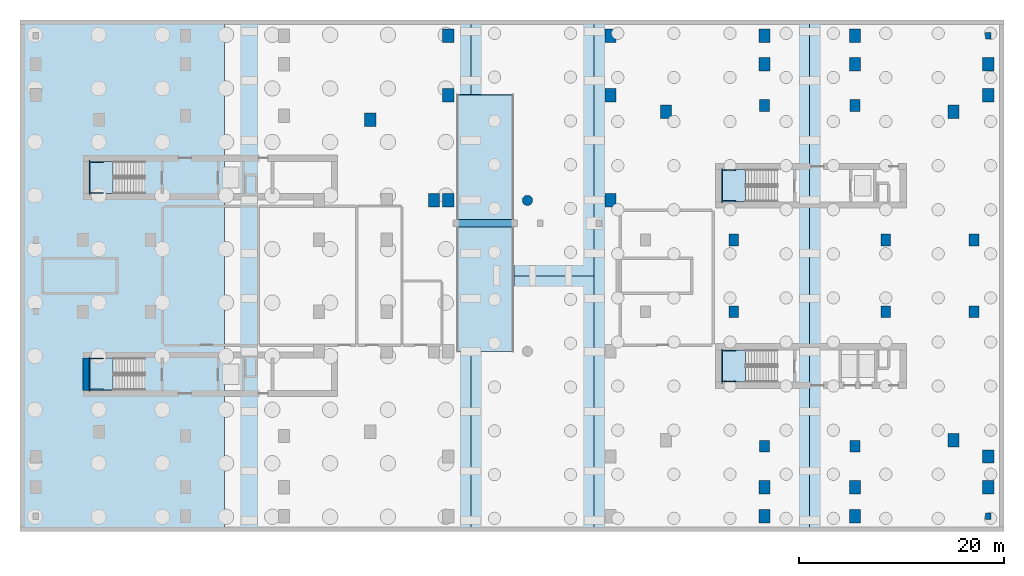
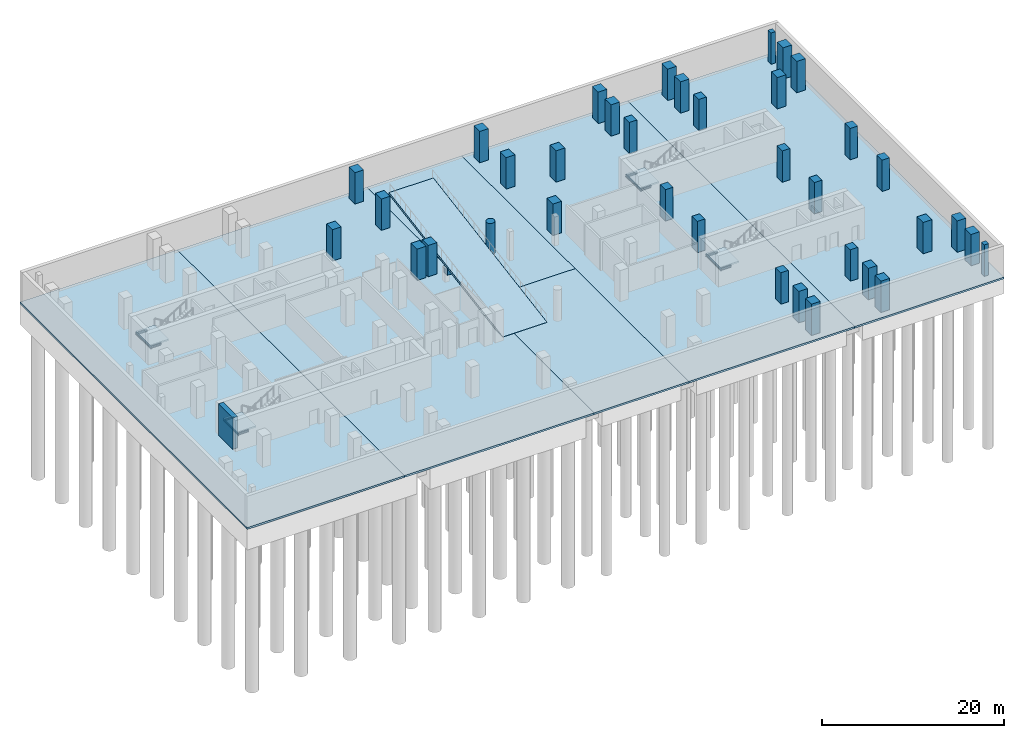
# One storey, part 3 of 14: 36 columns, 13 beams, 11 slabs, 1 wall, 4 elements without a shape of their own.
"""IFC4 building model written with IfcOpenShell, lengths in metres."""

from ifc_helpers import new_model, si_unit, derived_unit, direction, frame, frame_2d, origin, origin_2d, place, context, subcontext, project, spatial, polyline, rectangle, circle, i_section, outline, extrude, material, layer, layer_set, material_profile, profile_set, type_object, element, aggregate, save


model = new_model("IFC4")

# Units and contexts
model_context = context("Model", 3, precision=1e-05, world=origin(), true_north=direction((0.0, 1.0)))
body_context = subcontext(model_context, "Body", "Model", "MODEL_VIEW")
ifc_project = project(units=[si_unit("LENGTHUNIT", "METRE"), si_unit("AREAUNIT", "SQUARE_METRE"), si_unit("VOLUMEUNIT", "CUBIC_METRE"), si_unit("PLANEANGLEUNIT", "RADIAN"), si_unit("MASSUNIT", "GRAM", prefix="KILO"), derived_unit("THERMALTRANSMITTANCEUNIT", [(si_unit("POWERUNIT", "WATT"), 1), (si_unit("LENGTHUNIT", "METRE"), -2), (si_unit("THERMODYNAMICTEMPERATUREUNIT", "KELVIN"), -1)])], contexts=[model_context])

# Site, building, storey
site_placement = place(None, origin())
site = spatial("IfcSite", under=ifc_project, at=site_placement, CompositionType="ELEMENT")
building_placement = place(site_placement, origin())
building = spatial("IfcBuilding", under=site, at=building_placement, Name="Kivonza Crest Hotel", CompositionType="ELEMENT")
storey_placement = place(building_placement, frame((0.0, 0.0, -8.39990234375)))
storey = spatial("IfcBuildingStorey", under=building, at=storey_placement, Name="B2", CompositionType="ELEMENT", Elevation=-8.39990234375)

# Columns
ifc_material_1 = material(Name="Concrete C60/75", Category="concrete")
ifc_material_profile_1 = material_profile(ifc_material_1, rectangle(XDim=0.550048828125, YDim=0.64990234375, at=origin_2d()), Name="RC 650x550")
ifc_profile_set_1 = profile_set([ifc_material_profile_1], Name="Concrete C60/75")
column_type_1 = type_object("IfcColumnType", Name="CL-PIL-650x550", PredefinedType="PILASTER", material=ifc_profile_set_1)
for number, where, z_axis, x_axis, name in (
    (1, (94.39990234375, 1.60009765625, 0.0), (0.0, 0.0, 1.0), (1.0, 0.0, 0.0), "Podium B2 column PS08"),
    (2, (94.39990234375, 48.39990234375, 0.0), (0.0, 0.0, 1.0), (1.0, 0.0, 0.0), "Podium B2 column PN08"),
):
    element("IfcColumn", number, at=place(storey_placement, frame(where, z_axis=z_axis, x_axis=x_axis)), inside=storey, type_object=column_type_1, Name=name, PredefinedType="PILASTER", context=body_context, shape_type="SweptSolid", body=[
        extrude(rectangle(XDim=0.550048828125, YDim=0.64990234375, at=origin_2d()), origin(), (0.0, 0.0, 1.0), 4.199951171875),
    ])
ifc_material_profile_2 = material_profile(ifc_material_1, rectangle(XDim=0.949951171875, YDim=1.14990234375, at=origin_2d()), Name="RC 1150x950")
ifc_profile_set_2 = profile_set([ifc_material_profile_2], Name="Concrete C60/75")
column_type_2 = type_object("IfcColumnType", Name="CL-RC-1150x950", PredefinedType="COLUMN", material=ifc_profile_set_2)
for number, where, z_axis, x_axis, name in (
    (3, (72.60009765625, 8.39990234375, 0.0), (0.0, 0.0, 1.0), (1.0, 0.0, 0.0), "Companion Tower T2 B2 column S1"),
    (4, (81.39990234375, 8.39990234375, 0.0), (0.0, 0.0, 1.0), (1.0, 0.0, 0.0), "Companion Tower T2 B2 column S2"),
    (5, (72.60009765625, 41.60009765625, 0.0), (0.0, 0.0, 1.0), (1.0, 0.0, 0.0), "Companion Tower T2 B2 column N1"),
    (6, (81.39990234375, 41.60009765625, 0.0), (0.0, 0.0, 1.0), (1.0, 0.0, 0.0), "Companion Tower T2 B2 column N2"),
    (7, (93.0, 21.5, 0.0), (0.0, 0.0, 1.0), (1.0, 0.0, 0.0), "Companion Tower T2 B2 column E1"),
    (8, (93.0, 28.5, 0.0), (0.0, 0.0, 1.0), (1.0, 0.0, 0.0), "Companion Tower T2 B2 column E2"),
    (9, (69.60009765625, 21.5, 0.0), (0.0, 0.0, 1.0), (1.0, 0.0, 0.0), "Companion Tower T2 B2 column WL1"),
    (10, (69.60009765625, 28.5, 0.0), (0.0, 0.0, 1.0), (1.0, 0.0, 0.0), "Companion Tower T2 B2 column WL2"),
    (11, (84.39990234375, 21.5, 0.0), (0.0, 0.0, 1.0), (1.0, 0.0, 0.0), "Companion Tower T2 B2 column WR1"),
    (12, (84.39990234375, 28.5, 0.0), (0.0, 0.0, 1.0), (1.0, 0.0, 0.0), "Companion Tower T2 B2 column WR2"),
):
    element("IfcColumn", number, at=place(storey_placement, frame(where, z_axis=z_axis, x_axis=x_axis)), inside=storey, type_object=column_type_2, Name=name, PredefinedType="COLUMN", context=body_context, shape_type="SweptSolid", body=[
        extrude(rectangle(XDim=0.949951171875, YDim=1.14990234375, at=origin_2d()), origin(), (0.0, 0.0, 1.0), 4.199951171875),
    ])
ifc_material_profile_3 = material_profile(ifc_material_1, rectangle(XDim=1.10009765625, YDim=1.300048828125, at=origin_2d()), Name="RC 1300x1100")
ifc_profile_set_3 = profile_set([ifc_material_profile_3], Name="Concrete C60/75")
column_type_3 = type_object("IfcColumnType", Name="CL-RC-1300x1100", PredefinedType="COLUMN", material=ifc_profile_set_3)
for number, where, z_axis, x_axis, name in (
    (13, (34.199951171875, 40.199951171875, 0.0), (0.0, 0.0, 1.0), (1.0, 0.0, 0.0), "Tower T1 B2 column NE"),
    (14, (40.39990234375, 32.35009765625, 0.0), (0.0, 0.0, 1.0), (1.0, 0.0, 0.0), "Tower T1 B2 column Z1E2"),
    (15, (91.0, 9.0, 0.0), (0.0, 0.0, 1.0), (1.0, 0.0, 0.0), "Companion Tower T2 B2 column SE"),
    (16, (91.0, 41.0, 0.0), (0.0, 0.0, 1.0), (1.0, 0.0, 0.0), "Companion Tower T2 B2 column NE"),
    (17, (63.0, 41.0, 0.0), (0.0, 0.0, 1.0), (1.0, 0.0, 0.0), "Companion Tower T2 B2 column NW"),
    (18, (41.800048828125, 32.35009765625, 0.0), (0.0, 0.0, 1.0), (1.0, 0.0, 0.0), "Podium B2 column LK1N"),
    (19, (57.60009765625, 32.35009765625, 0.0), (0.0, 0.0, 1.0), (1.0, 0.0, 0.0), "Podium B2 column LK3N"),
    (20, (41.800048828125, 48.39990234375, 0.0), (0.0, 0.0, 1.0), (1.0, 0.0, 0.0), "Podium B2 column PN04"),
    (21, (57.60009765625, 48.39990234375, 0.0), (0.0, 0.0, 1.0), (1.0, 0.0, 0.0), "Podium B2 column PN05"),
    (22, (72.60009765625, 1.60009765625, 0.0), (0.0, 0.0, 1.0), (1.0, 0.0, 0.0), "Podium B2 column PS06"),
    (23, (72.60009765625, 48.39990234375, 0.0), (0.0, 0.0, 1.0), (1.0, 0.0, 0.0), "Podium B2 column PN06"),
    (24, (81.39990234375, 1.60009765625, 0.0), (0.0, 0.0, 1.0), (1.0, 0.0, 0.0), "Podium B2 column PS07"),
    (25, (81.39990234375, 48.39990234375, 0.0), (0.0, 0.0, 1.0), (1.0, 0.0, 0.0), "Podium B2 column PN07"),
    (26, (72.60009765625, 4.39990234375, 0.0), (0.0, 0.0, 1.0), (1.0, 0.0, 0.0), "Podium B2 column PS24"),
    (27, (72.60009765625, 45.60009765625, 0.0), (0.0, 0.0, 1.0), (1.0, 0.0, 0.0), "Podium B2 column PN24"),
    (28, (81.39990234375, 4.39990234375, 0.0), (0.0, 0.0, 1.0), (1.0, 0.0, 0.0), "Podium B2 column PS25"),
    (29, (81.39990234375, 45.60009765625, 0.0), (0.0, 0.0, 1.0), (1.0, 0.0, 0.0), "Podium B2 column PN25"),
    (30, (94.39990234375, 4.39990234375, 0.0), (0.0, 0.0, 1.0), (1.0, 0.0, 0.0), "Podium B2 column PS26"),
    (31, (94.39990234375, 45.60009765625, 0.0), (0.0, 0.0, 1.0), (1.0, 0.0, 0.0), "Podium B2 column PN26"),
    (32, (41.800048828125, 42.60009765625, 0.0), (0.0, 0.0, 1.0), (1.0, 0.0, 0.0), "Podium B2 column PN42"),
    (33, (57.60009765625, 42.60009765625, 0.0), (0.0, 0.0, 1.0), (1.0, 0.0, 0.0), "Podium B2 column PN43"),
    (34, (94.39990234375, 7.39990234375, 0.0), (0.0, 0.0, 1.0), (1.0, 0.0, 0.0), "Podium B2 column PS44"),
    (35, (94.39990234375, 42.60009765625, 0.0), (0.0, 0.0, 1.0), (1.0, 0.0, 0.0), "Podium B2 column PN44"),
):
    element("IfcColumn", number, at=place(storey_placement, frame(where, z_axis=z_axis, x_axis=x_axis)), inside=storey, type_object=column_type_3, Name=name, PredefinedType="COLUMN", context=body_context, shape_type="SweptSolid", body=[
        extrude(rectangle(XDim=1.10009765625, YDim=1.300048828125, at=origin_2d()), origin(), (0.0, 0.0, 1.0), 4.199951171875),
    ])
ifc_material_profile_4 = material_profile(ifc_material_1, circle(Radius=0.5, at=origin_2d()), Name="RC D1000")
ifc_profile_set_4 = profile_set([ifc_material_profile_4], Name="Concrete C60/75")
column_type_4 = type_object("IfcColumnType", Name="CL-RC-D1000", PredefinedType="COLUMN", material=ifc_profile_set_4)
column_placement = place(storey_placement, frame((49.5, 32.35009765625, 0.0), z_axis=(0.0, 0.0, 1.0), x_axis=(1.0, 0.0, 0.0)))
element("IfcColumn", 36, at=column_placement, inside=storey, type_object=column_type_4, Name="Podium B2 column LK2N", PredefinedType="COLUMN", context=body_context, shape_type="SweptSolid", body=[
    extrude(circle(Radius=0.5, at=origin_2d()), origin(), (0.0, 0.0, 1.0), 4.199951171875),
])

# Beams
ifc_material_2 = material(Name="Steel S355", Category="steel")
ifc_material_profile_5 = material_profile(ifc_material_2, i_section(OverallWidth=0.1201171875, OverallDepth=0.239990234375, WebThickness=0.006103515625, FlangeThickness=0.009765625, FilletRadius=0.014892578125, at=origin_2d()), Name="IPE 240")
ifc_profile_set_5 = profile_set([ifc_material_profile_5], Name="Steel S355")
beam_type_1 = type_object("IfcBeamType", Name="BM-LLDG-240", PredefinedType="BEAM", material=ifc_profile_set_5)
beam_1_placement = place(storey_placement, frame((6.860107421875, 32.89990234375, 1.77978515625), z_axis=(0.0, 1.0, 0.0), x_axis=(-1.0, 0.0, 0.0)))
element("IfcBeam", 37, at=beam_1_placement, inside=storey, type_object=beam_type_1, Name="Stair ST-T1-N B2 West landing corbel", PredefinedType="BEAM", context=body_context, shape_type="SweptSolid", body=[
    extrude(i_section(OverallWidth=0.1201171875, OverallDepth=0.239990234375, WebThickness=0.006103515625, FlangeThickness=0.009765625, FilletRadius=0.014892578125, at=origin_2d()), origin(), (0.0, 0.0, 1.0), 3.360107421875),
])
for number, where, z_axis, x_axis, name in (
    (38, (6.989990234375, 33.06005859375, 1.77978515625), (1.0, 0.0, 0.0), (0.0, 1.0, 0.0), "Stair ST-T1-N B2 South landing corbel"),
    (39, (6.989990234375, 36.10009765625, 1.77978515625), (1.0, 0.0, 0.0), (0.0, 1.0, 0.0), "Stair ST-T1-N B2 North landing corbel"),
):
    element("IfcBeam", number, at=place(storey_placement, frame(where, z_axis=z_axis, x_axis=x_axis)), inside=storey, type_object=beam_type_1, Name=name, PredefinedType="BEAM", context=body_context, shape_type="SweptSolid", body=[
        extrude(i_section(OverallWidth=0.1201171875, OverallDepth=0.239990234375, WebThickness=0.006103515625, FlangeThickness=0.009765625, FilletRadius=0.014892578125, at=origin_2d()), origin(), (0.0, 0.0, 1.0), 1.2099609375),
    ])
beam_2_placement = place(storey_placement, frame((6.860107421875, 13.739990234375, 1.77978515625), z_axis=(0.0, 1.0, 0.0), x_axis=(-1.0, 0.0, 0.0)))
element("IfcBeam", 40, at=beam_2_placement, inside=storey, type_object=beam_type_1, Name="Stair ST-T1-S B2 West landing corbel", PredefinedType="BEAM", context=body_context, shape_type="SweptSolid", body=[
    extrude(i_section(OverallWidth=0.1201171875, OverallDepth=0.239990234375, WebThickness=0.006103515625, FlangeThickness=0.009765625, FilletRadius=0.014892578125, at=origin_2d()), origin(), (0.0, 0.0, 1.0), 3.360107421875),
])
for number, where, z_axis, x_axis, name in (
    (41, (6.989990234375, 13.89990234375, 1.77978515625), (1.0, 0.0, 0.0), (0.0, 1.0, 0.0), "Stair ST-T1-S B2 South landing corbel"),
    (42, (6.989990234375, 16.93994140625, 1.77978515625), (1.0, 0.0, 0.0), (0.0, 1.0, 0.0), "Stair ST-T1-S B2 North landing corbel"),
):
    element("IfcBeam", number, at=place(storey_placement, frame(where, z_axis=z_axis, x_axis=x_axis)), inside=storey, type_object=beam_type_1, Name=name, PredefinedType="BEAM", context=body_context, shape_type="SweptSolid", body=[
        extrude(i_section(OverallWidth=0.1201171875, OverallDepth=0.239990234375, WebThickness=0.006103515625, FlangeThickness=0.009765625, FilletRadius=0.014892578125, at=origin_2d()), origin(), (0.0, 0.0, 1.0), 1.2099609375),
    ])
beam_3_placement = place(storey_placement, frame((68.4599609375, 32.10009765625, 1.77978515625), z_axis=(0.0, 1.0, 0.0), x_axis=(-1.0, 0.0, 0.0)))
element("IfcBeam", 43, at=beam_3_placement, inside=storey, type_object=beam_type_1, Name="Stair ST-T2-N B2 West landing corbel", PredefinedType="BEAM", context=body_context, shape_type="SweptSolid", body=[
    extrude(i_section(OverallWidth=0.1201171875, OverallDepth=0.239990234375, WebThickness=0.006103515625, FlangeThickness=0.009765625, FilletRadius=0.014892578125, at=origin_2d()), origin(), (0.0, 0.0, 1.0), 3.35986328125),
])
for number, where, z_axis, x_axis, name in (
    (44, (68.590087890625, 32.260009765625, 1.77978515625), (1.0, 0.0, 0.0), (0.0, 1.0, 0.0), "Stair ST-T2-N B2 South landing corbel"),
    (45, (68.590087890625, 35.300048828125, 1.77978515625), (1.0, 0.0, 0.0), (0.0, 1.0, 0.0), "Stair ST-T2-N B2 North landing corbel"),
):
    element("IfcBeam", number, at=place(storey_placement, frame(where, z_axis=z_axis, x_axis=x_axis)), inside=storey, type_object=beam_type_1, Name=name, PredefinedType="BEAM", context=body_context, shape_type="SweptSolid", body=[
        extrude(i_section(OverallWidth=0.1201171875, OverallDepth=0.239990234375, WebThickness=0.006103515625, FlangeThickness=0.009765625, FilletRadius=0.014892578125, at=origin_2d()), origin(), (0.0, 0.0, 1.0), 1.2099609375),
    ])
beam_4_placement = place(storey_placement, frame((68.4599609375, 14.5400390625, 1.77978515625), z_axis=(0.0, 1.0, 0.0), x_axis=(-1.0, 0.0, 0.0)))
element("IfcBeam", 46, at=beam_4_placement, inside=storey, type_object=beam_type_1, Name="Stair ST-T2-S B2 West landing corbel", PredefinedType="BEAM", context=body_context, shape_type="SweptSolid", body=[
    extrude(i_section(OverallWidth=0.1201171875, OverallDepth=0.239990234375, WebThickness=0.006103515625, FlangeThickness=0.009765625, FilletRadius=0.014892578125, at=origin_2d()), origin(), (0.0, 0.0, 1.0), 3.35986328125),
])
for number, where, z_axis, x_axis, name in (
    (47, (68.590087890625, 14.699951171875, 1.77978515625), (1.0, 0.0, 0.0), (0.0, 1.0, 0.0), "Stair ST-T2-S B2 South landing corbel"),
    (48, (68.590087890625, 17.739990234375, 1.77978515625), (1.0, 0.0, 0.0), (0.0, 1.0, 0.0), "Stair ST-T2-S B2 North landing corbel"),
):
    element("IfcBeam", number, at=place(storey_placement, frame(where, z_axis=z_axis, x_axis=x_axis)), inside=storey, type_object=beam_type_1, Name=name, PredefinedType="BEAM", context=body_context, shape_type="SweptSolid", body=[
        extrude(i_section(OverallWidth=0.1201171875, OverallDepth=0.239990234375, WebThickness=0.006103515625, FlangeThickness=0.009765625, FilletRadius=0.014892578125, at=origin_2d()), origin(), (0.0, 0.0, 1.0), 1.2099609375),
    ])
ifc_material_3 = material(Name="Concrete C40/50", Category="concrete")
ifc_material_profile_6 = material_profile(ifc_material_3, rectangle(XDim=0.75, YDim=0.89990234375, at=origin_2d()), Name="RC 900x750")
ifc_profile_set_6 = profile_set([ifc_material_profile_6], Name="Concrete C40/50")
beam_type_2 = type_object("IfcBeamType", Name="BM-RCT-900x750", PredefinedType="T_BEAM", material=ifc_profile_set_6)
beam_5_placement = place(storey_placement, frame((42.550048828125, 30.125, 1.369873046875), z_axis=(1.0, 0.0, 0.0), x_axis=(0.0, 1.0, 0.0)))
element("IfcBeam", 49, at=beam_5_placement, inside=storey, type_object=beam_type_2, Name="B2 vehicle ramp midspan support beam", PredefinedType="T_BEAM", context=body_context, shape_type="SweptSolid", body=[
    extrude(rectangle(XDim=0.75, YDim=0.89990234375, at=origin_2d()), origin(), (0.0, 0.0, 1.0), 5.699951171875),
])

# Slabs
ifc_layer_1 = layer(ifc_material_3, 0.25)
ifc_layer_set_1 = layer_set([ifc_layer_1], Name="Concrete C40/50")
slab_type_1 = type_object("IfcSlabType", Name="SL-BASE-250", PredefinedType="BASESLAB", material=ifc_layer_set_1)
slab_1_placement = place(storey_placement, frame((0.0, 0.0, -0.25)))
element("IfcSlab", 50, at=slab_1_placement, inside=storey, type_object=slab_type_1, Name="B2 basement structural base slab SL-B2-01", PredefinedType="BASESLAB", context=body_context, shape_type="SweptSolid", body=[
    extrude(outline(polyline([(20.0, 0.080078125), (20.0, 49.919921875), (0.080078125, 49.919921875), (0.080078125, 0.080078125), (20.0, 0.080078125)])), origin(), (0.0, 0.0, 1.0), 0.25),
])
slab_2_placement = place(storey_placement, frame((0.0, 0.0, -0.25)))
element("IfcSlab", 51, at=slab_2_placement, inside=storey, type_object=slab_type_1, Name="B2 basement structural base slab SL-B2-02", PredefinedType="BASESLAB", context=body_context, shape_type="SweptSolid", body=[
    extrude(outline(polyline([(44.0, 17.6298828125), (42.580078125, 17.6298828125), (42.580078125, 19.449951171875), (44.0, 19.449951171875), (44.0, 49.919921875), (20.0, 49.919921875), (20.0, 0.080078125), (44.0, 0.080078125), (44.0, 17.6298828125)])), origin(), (0.0, 0.0, 1.0), 0.25),
])
slab_3_placement = place(storey_placement, frame((0.0, 0.0, -0.25)))
element("IfcSlab", 52, at=slab_3_placement, inside=storey, type_object=slab_type_1, Name="B2 basement structural base slab SL-B2-03", PredefinedType="BASESLAB", context=body_context, shape_type="SweptSolid", body=[
    extrude(outline(polyline([(44.0, 19.449951171875), (48.219970703125, 19.449951171875), (48.219970703125, 17.6298828125), (44.0, 17.6298828125), (44.0, 0.080078125), (56.0, 0.080078125), (56.0, 25.0), (44.0, 25.0), (44.0, 19.449951171875)])), origin(), (0.0, 0.0, 1.0), 0.25),
])
slab_4_placement = place(storey_placement, frame((0.0, 0.0, -0.25)))
element("IfcSlab", 53, at=slab_4_placement, inside=storey, type_object=slab_type_1, Name="B2 basement structural base slab SL-B2-04", PredefinedType="BASESLAB", context=body_context, shape_type="SweptSolid", body=[
    extrude(outline(polyline([(56.0, 25.0), (56.0, 49.919921875), (44.0, 49.919921875), (44.0, 25.0), (56.0, 25.0)])), origin(), (0.0, 0.0, 1.0), 0.25),
])
slab_5_placement = place(storey_placement, frame((0.0, 0.0, -0.25)))
element("IfcSlab", 54, at=slab_5_placement, inside=storey, type_object=slab_type_1, Name="B2 basement structural base slab SL-B2-05", PredefinedType="BASESLAB", context=body_context, shape_type="SweptSolid", body=[
    extrude(outline(polyline([(77.0, 0.080078125), (77.0, 49.919921875), (56.0, 49.919921875), (56.0, 0.080078125), (77.0, 0.080078125)])), origin(), (0.0, 0.0, 1.0), 0.25),
])
slab_6_placement = place(storey_placement, frame((0.0, 0.0, -0.25)))
element("IfcSlab", 55, at=slab_6_placement, inside=storey, type_object=slab_type_1, Name="B2 basement structural base slab SL-B2-06", PredefinedType="BASESLAB", context=body_context, shape_type="SweptSolid", body=[
    extrude(outline(polyline([(95.919921875, 0.080078125), (95.919921875, 49.919921875), (77.0, 49.919921875), (77.0, 0.080078125), (95.919921875, 0.080078125)])), origin(), (0.0, 0.0, 1.0), 0.25),
])

# Stair, slab
stair_type = type_object("IfcStairType", Name="ST-DL-24R", PredefinedType="HALF_TURN_STAIR", material=ifc_material_3)
stair_1_placement = place(storey_placement, origin())
stair_1 = element("IfcStair", 56, at=stair_1_placement, inside=storey, type_object=stair_type, Name="B2 Protected Exit Stair ST-T1-N", PredefinedType="HALF_TURN_STAIR")
ifc_layer_2 = layer(ifc_material_3, 0.199951171875)
ifc_layer_set_2 = layer_set([ifc_layer_2], Name="Concrete C40/50")
slab_type_2 = type_object("IfcSlabType", Name="SL-LAND-200", PredefinedType="LANDING", material=ifc_layer_set_2)
slab_7_placement = place(storey_placement, frame((0.0, 0.0, 1.89990234375)))
slab_7 = element("IfcSlab", 57, at=slab_7_placement, type_object=slab_type_2, Name="ST-T1-N landing 1", PredefinedType="LANDING", context=body_context, shape_type="SweptSolid", body=[
    extrude(outline(polyline([(9.159912109375, 36.159912109375), (6.800048828125, 36.159912109375), (6.800048828125, 33.02001953125), (9.159912109375, 33.02001953125), (9.159912109375, 36.159912109375)])), origin(), (0.0, 0.0, 1.0), 0.199951171875),
])
aggregate(stair_1, [slab_7])

stair_2_placement = place(storey_placement, origin())
stair_2 = element("IfcStair", 58, at=stair_2_placement, inside=storey, type_object=stair_type, Name="B2 Protected Exit Stair ST-T1-S", PredefinedType="HALF_TURN_STAIR")
slab_8_placement = place(storey_placement, frame((0.0, 0.0, 1.89990234375)))
slab_8 = element("IfcSlab", 59, at=slab_8_placement, type_object=slab_type_2, Name="ST-T1-S landing 1", PredefinedType="LANDING", context=body_context, shape_type="SweptSolid", body=[
    extrude(outline(polyline([(9.159912109375, 17.0), (6.800048828125, 17.0), (6.800048828125, 13.860107421875), (9.159912109375, 13.860107421875), (9.159912109375, 17.0)])), origin(), (0.0, 0.0, 1.0), 0.199951171875),
])
aggregate(stair_2, [slab_8])

stair_3_placement = place(storey_placement, origin())
stair_3 = element("IfcStair", 60, at=stair_3_placement, inside=storey, type_object=stair_type, Name="B2 Protected Exit Stair ST-T2-N", PredefinedType="HALF_TURN_STAIR")
slab_9_placement = place(storey_placement, frame((0.0, 0.0, 1.89990234375)))
slab_9 = element("IfcSlab", 61, at=slab_9_placement, type_object=slab_type_2, Name="ST-T2-N landing 1", PredefinedType="LANDING", context=body_context, shape_type="SweptSolid", body=[
    extrude(outline(polyline([(70.760009765625, 35.360107421875), (68.39990234375, 35.360107421875), (68.39990234375, 32.219970703125), (70.760009765625, 32.219970703125), (70.760009765625, 35.360107421875)])), origin(), (0.0, 0.0, 1.0), 0.199951171875),
])
aggregate(stair_3, [slab_9])

stair_4_placement = place(storey_placement, origin())
stair_4 = element("IfcStair", 62, at=stair_4_placement, inside=storey, type_object=stair_type, Name="B2 Protected Exit Stair ST-T2-S", PredefinedType="HALF_TURN_STAIR")
slab_10_placement = place(storey_placement, frame((0.0, 0.0, 1.89990234375)))
slab_10 = element("IfcSlab", 63, at=slab_10_placement, type_object=slab_type_2, Name="ST-T2-S landing 1", PredefinedType="LANDING", context=body_context, shape_type="SweptSolid", body=[
    extrude(outline(polyline([(70.760009765625, 17.800048828125), (68.39990234375, 17.800048828125), (68.39990234375, 14.659912109375), (70.760009765625, 14.659912109375), (70.760009765625, 17.800048828125)])), origin(), (0.0, 0.0, 1.0), 0.199951171875),
])
aggregate(stair_4, [slab_10])

# Slab
ifc_layer_3 = layer(ifc_material_3, 0.280029296875)
ifc_layer_set_3 = layer_set([ifc_layer_3], Name="Concrete C40/50")
slab_type_3 = type_object("IfcSlabType", Name="SL-VRMP-280", PredefinedType="FLOOR", material=ifc_layer_set_3)
slab_11_placement = place(storey_placement, frame((42.60009765625, 17.64990234375, 0.0), z_axis=(0.0, -0.165997957239, 0.986126096497), x_axis=(1.0, 0.0, 0.0)))
element("IfcSlab", 64, at=slab_11_placement, inside=storey, type_object=slab_type_3, Name="Car park vehicle ramp slab B2 to B1", PredefinedType="FLOOR", context=body_context, shape_type="SweptSolid", body=[
    extrude(outline(polyline([(0.0, 0.0), (5.599853515625, 0.0), (5.599853515625, 25.301222025389034), (0.0, 25.301222025389034), (0.0, 0.0)])), origin(), (0.0, 0.0, -1.0), 0.280029296875),
])

# Wall
ifc_layer_4 = layer(ifc_material_1, 0.60009765625)
ifc_layer_set_4 = layer_set([ifc_layer_4], Name="Concrete C60/75")
wall_type = type_object("IfcWallType", Name="WL-CORE-600", PredefinedType="SHEAR", material=ifc_layer_set_4)
wall_placement = place(storey_placement, frame((6.5, 13.840087890625, 0.0), z_axis=(0.0, 0.0, 1.0), x_axis=(0.0, 1.0, 0.0)))
element("IfcWall", 65, at=wall_placement, inside=storey, type_object=wall_type, Name="Core wall T1-S West B2", PredefinedType="SHEAR", context=body_context, shape_type="SweptSolid", body=[
    extrude(rectangle(XDim=3.159912109375, YDim=0.60009765625, at=frame_2d((1.580078125, 0.0))), origin(), (0.0, 0.0, 1.0), 4.199951171875),
])

save(model, "model.ifc")
